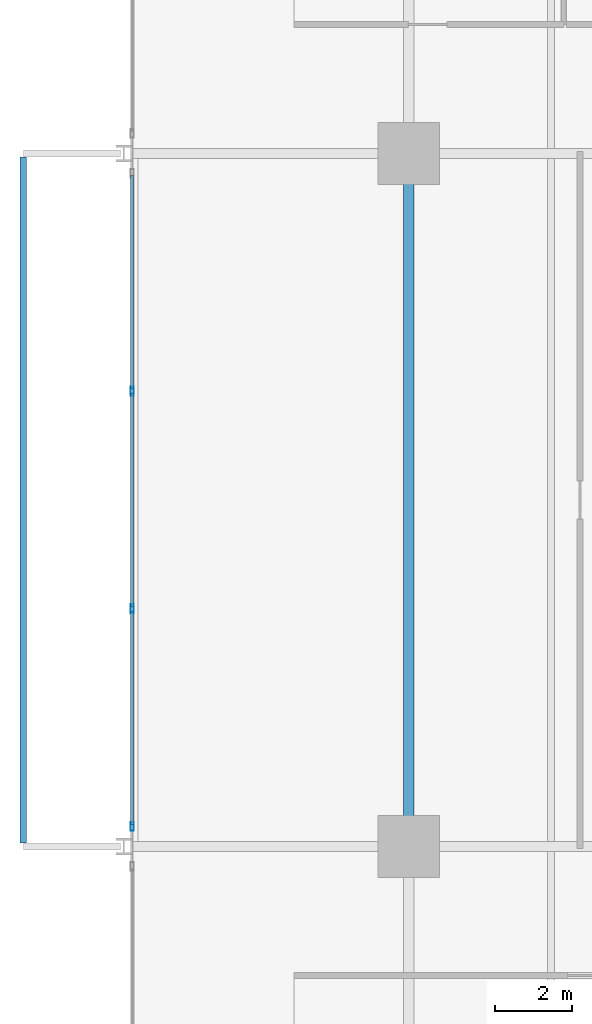
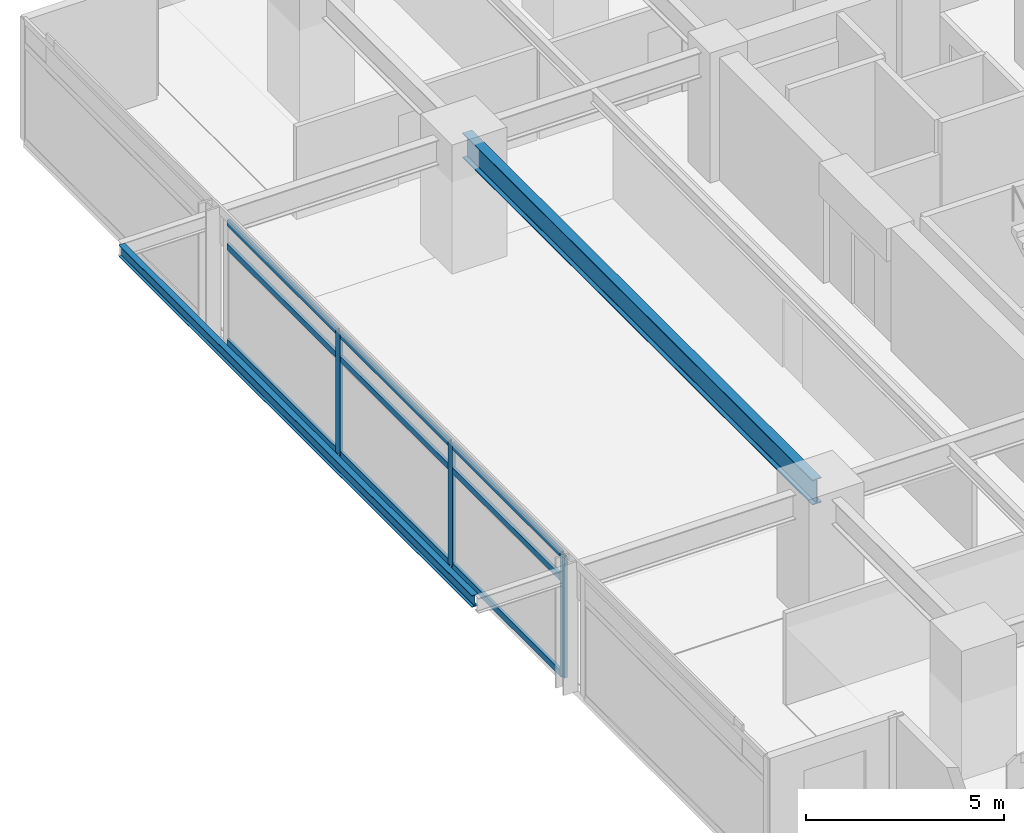
# One storey, part 4 of 22: 12 members, 2 beams, 1 element without a shape of its own.
"""IFC4 building model written with IfcOpenShell, lengths in metres."""

from ifc_helpers import new_model, si_unit, direction, frame, origin, origin_2d, place, context, subcontext, project, spatial, hollow_rectangle, i_section, extrude, material, material_profile, profile_set, type_object, element, aggregate, save


model = new_model("IFC4")

# Units and contexts
model_context = context("Model", 3, precision=1e-05, world=origin(), true_north=direction((0.0, 1.0)))
body_context = subcontext(model_context, "Body", "Model", "MODEL_VIEW")
ifc_project = project(units=[si_unit("LENGTHUNIT", "METRE"), si_unit("AREAUNIT", "SQUARE_METRE"), si_unit("VOLUMEUNIT", "CUBIC_METRE"), si_unit("PLANEANGLEUNIT", "RADIAN"), si_unit("MASSUNIT", "GRAM", prefix="KILO")], contexts=[model_context])

# Site, building, storey
site_placement = place(None, origin())
site = spatial("IfcSite", under=ifc_project, at=site_placement, CompositionType="ELEMENT")
building_placement = place(site_placement, origin())
building = spatial("IfcBuilding", under=site, at=building_placement, Name="Kovane Verandah Tower", CompositionType="ELEMENT")
storey_placement = place(building_placement, frame((0.0, 0.0, 156.39990234375)))
storey = spatial("IfcBuildingStorey", under=building, at=storey_placement, Name="L36", CompositionType="ELEMENT", Elevation=156.39990234375)

# Beam
ifc_material_1 = material(Name="Steel S355", Category="steel")
ifc_material_profile_1 = material_profile(ifc_material_1, i_section(OverallWidth=0.26806640625, OverallDepth=0.769775390625, WebThickness=0.015625, FlangeThickness=0.025390625, FilletRadius=0.0166015625, at=origin_2d()), Name="UB762x267x197")
ifc_profile_set_1 = profile_set([ifc_material_profile_1], Name="Steel S355")
beam_type_1 = type_object("IfcBeamType", Name="BM-UB762x197", PredefinedType="BEAM", material=ifc_profile_set_1)
beam_1_placement = place(storey_placement, frame((21.60009765625, 18.679931640625, 3.39013671875), z_axis=(0.0, 1.0, 0.0), x_axis=(-1.0, 0.0, 0.0)))
element("IfcBeam", 1, at=beam_1_placement, inside=storey, type_object=beam_type_1, Name="L36 Primary Tower Girder G-RW2", PredefinedType="BEAM", context=body_context, shape_type="SweptSolid", body=[
    extrude(i_section(OverallWidth=0.26806640625, OverallDepth=0.769775390625, WebThickness=0.015625, FlangeThickness=0.025390625, FilletRadius=0.0166015625, at=origin_2d()), origin(), (0.0, 0.0, 1.0), 17.64013671875),
])

# Curtain wall, members
ifc_material_2 = material(Name="Champagne Anodised Aluminium Frame with Low-E Clear Laminated Glass", Category="aluminium")
curtain_wall_type = type_object("IfcCurtainWallType", Name="CW-SYS-03-MID", PredefinedType="NOTDEFINED", material=ifc_material_2)
curtain_wall_placement = place(storey_placement, origin())
curtain_wall = element("IfcCurtainWall", 2, at=curtain_wall_placement, inside=storey, type_object=curtain_wall_type, Name="L36 W Unitised Curtain Wall-2", PredefinedType="NOTDEFINED")
ifc_material_3 = material(Name="Champagne Anodised Aluminium 6063-T6", Category="aluminium")
ifc_material_profile_2 = material_profile(ifc_material_3, hollow_rectangle(XDim=0.0849609375, YDim=0.22998046875, WallThickness=0.00390625, at=origin_2d()), Name="AL85x230x4")
ifc_profile_set_2 = profile_set([ifc_material_profile_2], Name="Champagne Anodised Aluminium 6063-T6")
member_type_1 = type_object("IfcMemberType", Name="CW-MUL-85x230", PredefinedType="MULLION", material=ifc_profile_set_2)
member_1_placement = place(storey_placement, frame((14.419677734375, 30.32666015625, 0.02001953125), z_axis=(0.0, 0.0, 1.0), x_axis=(-1.0, 0.0, 0.0)))
member_1 = element("IfcMember", 3, at=member_1_placement, type_object=member_type_1, Name="L36 W Unitised Curtain Wall-2 Mullion 2", PredefinedType="MULLION", context=body_context, shape_type="SweptSolid", body=[
    extrude(hollow_rectangle(XDim=0.0849609375, YDim=0.22998046875, WallThickness=0.00390625, at=origin_2d()), origin(), (0.0, 0.0, 1.0), 3.735107421875),
])
member_2_placement = place(storey_placement, frame((14.419677734375, 24.67333984375, 0.02001953125), z_axis=(0.0, 0.0, 1.0), x_axis=(-1.0, 0.0, 0.0)))
member_2 = element("IfcMember", 4, at=member_2_placement, type_object=member_type_1, Name="L36 W Unitised Curtain Wall-2 Mullion 3", PredefinedType="MULLION", context=body_context, shape_type="SweptSolid", body=[
    extrude(hollow_rectangle(XDim=0.0849609375, YDim=0.22998046875, WallThickness=0.00390625, at=origin_2d()), origin(), (0.0, 0.0, 1.0), 3.735107421875),
])
member_3_placement = place(storey_placement, frame((14.419677734375, 19.02001953125, 0.02001953125), z_axis=(0.0, 0.0, 1.0), x_axis=(-1.0, 0.0, 0.0)))
member_3 = element("IfcMember", 5, at=member_3_placement, type_object=member_type_1, Name="L36 W Unitised Curtain Wall-2 Mullion 4", PredefinedType="MULLION", context=body_context, shape_type="SweptSolid", body=[
    extrude(hollow_rectangle(XDim=0.0849609375, YDim=0.22998046875, WallThickness=0.00390625, at=origin_2d()), origin(), (0.0, 0.0, 1.0), 3.735107421875),
])
ifc_material_profile_3 = material_profile(ifc_material_3, hollow_rectangle(XDim=0.0849609375, YDim=0.18994140625, WallThickness=0.00390625, at=origin_2d()), Name="AL85x190x4")
ifc_profile_set_3 = profile_set([ifc_material_profile_3], Name="Champagne Anodised Aluminium 6063-T6")
member_type_2 = type_object("IfcMemberType", Name="CW-TRN-85x190", PredefinedType="USERDEFINED", material=ifc_profile_set_3)
member_4_placement = place(storey_placement, frame((14.419677734375, 35.929931640625, 0.050048828125), z_axis=(0.0, -1.0, 0.0), x_axis=(1.0, 0.0, 0.0)))
member_4 = element("IfcMember", 6, at=member_4_placement, type_object=member_type_2, Name="L36 W Unitised Curtain Wall-2 Transom TB Bay 1", ObjectType="TRANSOM", PredefinedType="USERDEFINED", context=body_context, shape_type="SweptSolid", body=[
    extrude(hollow_rectangle(XDim=0.0849609375, YDim=0.18994140625, WallThickness=0.00390625, at=origin_2d()), origin(), (0.0, 0.0, 1.0), 5.55322265625),
])
member_5_placement = place(storey_placement, frame((14.419677734375, 35.929931640625, 2.9951171875), z_axis=(0.0, -1.0, 0.0), x_axis=(1.0, 0.0, 0.0)))
member_5 = element("IfcMember", 7, at=member_5_placement, type_object=member_type_2, Name="L36 W Unitised Curtain Wall-2 Transom TM Bay 1", ObjectType="TRANSOM", PredefinedType="USERDEFINED", context=body_context, shape_type="SweptSolid", body=[
    extrude(hollow_rectangle(XDim=0.0849609375, YDim=0.18994140625, WallThickness=0.00390625, at=origin_2d()), origin(), (0.0, 0.0, 1.0), 5.55322265625),
])
member_6_placement = place(storey_placement, frame((14.419677734375, 35.929931640625, 3.72509765625), z_axis=(0.0, -1.0, 0.0), x_axis=(1.0, 0.0, 0.0)))
member_6 = element("IfcMember", 8, at=member_6_placement, type_object=member_type_2, Name="L36 W Unitised Curtain Wall-2 Transom TT Bay 1", ObjectType="TRANSOM", PredefinedType="USERDEFINED", context=body_context, shape_type="SweptSolid", body=[
    extrude(hollow_rectangle(XDim=0.0849609375, YDim=0.18994140625, WallThickness=0.00390625, at=origin_2d()), origin(), (0.0, 0.0, 1.0), 5.55322265625),
])
member_7_placement = place(storey_placement, frame((14.419677734375, 30.276611328125, 0.050048828125), z_axis=(0.0, -1.0, 0.0), x_axis=(1.0, 0.0, 0.0)))
member_7 = element("IfcMember", 9, at=member_7_placement, type_object=member_type_2, Name="L36 W Unitised Curtain Wall-2 Transom TB Bay 2", ObjectType="TRANSOM", PredefinedType="USERDEFINED", context=body_context, shape_type="SweptSolid", body=[
    extrude(hollow_rectangle(XDim=0.0849609375, YDim=0.18994140625, WallThickness=0.00390625, at=origin_2d()), origin(), (0.0, 0.0, 1.0), 5.55322265625),
])
member_8_placement = place(storey_placement, frame((14.419677734375, 30.276611328125, 2.9951171875), z_axis=(0.0, -1.0, 0.0), x_axis=(1.0, 0.0, 0.0)))
member_8 = element("IfcMember", 10, at=member_8_placement, type_object=member_type_2, Name="L36 W Unitised Curtain Wall-2 Transom TM Bay 2", ObjectType="TRANSOM", PredefinedType="USERDEFINED", context=body_context, shape_type="SweptSolid", body=[
    extrude(hollow_rectangle(XDim=0.0849609375, YDim=0.18994140625, WallThickness=0.00390625, at=origin_2d()), origin(), (0.0, 0.0, 1.0), 5.55322265625),
])
member_9_placement = place(storey_placement, frame((14.419677734375, 30.276611328125, 3.72509765625), z_axis=(0.0, -1.0, 0.0), x_axis=(1.0, 0.0, 0.0)))
member_9 = element("IfcMember", 11, at=member_9_placement, type_object=member_type_2, Name="L36 W Unitised Curtain Wall-2 Transom TT Bay 2", ObjectType="TRANSOM", PredefinedType="USERDEFINED", context=body_context, shape_type="SweptSolid", body=[
    extrude(hollow_rectangle(XDim=0.0849609375, YDim=0.18994140625, WallThickness=0.00390625, at=origin_2d()), origin(), (0.0, 0.0, 1.0), 5.55322265625),
])
member_10_placement = place(storey_placement, frame((14.419677734375, 24.623291015625, 0.050048828125), z_axis=(0.0, -1.0, 0.0), x_axis=(1.0, 0.0, 0.0)))
member_10 = element("IfcMember", 12, at=member_10_placement, type_object=member_type_2, Name="L36 W Unitised Curtain Wall-2 Transom TB Bay 3", ObjectType="TRANSOM", PredefinedType="USERDEFINED", context=body_context, shape_type="SweptSolid", body=[
    extrude(hollow_rectangle(XDim=0.0849609375, YDim=0.18994140625, WallThickness=0.00390625, at=origin_2d()), origin(), (0.0, 0.0, 1.0), 5.55322265625),
])
member_11_placement = place(storey_placement, frame((14.419677734375, 24.623291015625, 2.9951171875), z_axis=(0.0, -1.0, 0.0), x_axis=(1.0, 0.0, 0.0)))
member_11 = element("IfcMember", 13, at=member_11_placement, type_object=member_type_2, Name="L36 W Unitised Curtain Wall-2 Transom TM Bay 3", ObjectType="TRANSOM", PredefinedType="USERDEFINED", context=body_context, shape_type="SweptSolid", body=[
    extrude(hollow_rectangle(XDim=0.0849609375, YDim=0.18994140625, WallThickness=0.00390625, at=origin_2d()), origin(), (0.0, 0.0, 1.0), 5.55322265625),
])
member_12_placement = place(storey_placement, frame((14.419677734375, 24.623291015625, 3.72509765625), z_axis=(0.0, -1.0, 0.0), x_axis=(1.0, 0.0, 0.0)))
member_12 = element("IfcMember", 14, at=member_12_placement, type_object=member_type_2, Name="L36 W Unitised Curtain Wall-2 Transom TT Bay 3", ObjectType="TRANSOM", PredefinedType="USERDEFINED", context=body_context, shape_type="SweptSolid", body=[
    extrude(hollow_rectangle(XDim=0.0849609375, YDim=0.18994140625, WallThickness=0.00390625, at=origin_2d()), origin(), (0.0, 0.0, 1.0), 5.55322265625),
])
aggregate(curtain_wall, [member_1, member_2, member_3, member_4, member_5, member_6, member_7, member_8, member_9, member_10, member_11, member_12])

# Beam
ifc_material_profile_4 = material_profile(ifc_material_1, i_section(OverallWidth=0.173095703125, OverallDepth=0.36328125, WebThickness=0.009033203125, FlangeThickness=0.015625, FilletRadius=0.01025390625, at=origin_2d()), Name="UB356x171x67")
ifc_profile_set_4 = profile_set([ifc_material_profile_4], Name="Steel S355")
beam_type_2 = type_object("IfcBeamType", Name="SPD-UB356x67", PredefinedType="USERDEFINED", material=ifc_profile_set_4)
beam_2_placement = place(storey_placement, frame((11.591064453125, 18.594482421875, 3.578369140625), z_axis=(0.0, 1.0, 0.0), x_axis=(-1.0, 0.0, 0.0)))
element("IfcBeam", 15, at=beam_2_placement, inside=storey, type_object=beam_type_2, Name="L36 West Planter Edge Spandrel", ObjectType="SPANDREL", PredefinedType="USERDEFINED", context=body_context, shape_type="SweptSolid", body=[
    extrude(i_section(OverallWidth=0.173095703125, OverallDepth=0.36328125, WebThickness=0.009033203125, FlangeThickness=0.015625, FilletRadius=0.01025390625, at=origin_2d()), origin(), (0.0, 0.0, 1.0), 17.81103515625),
])

save(model, "model.ifc")
